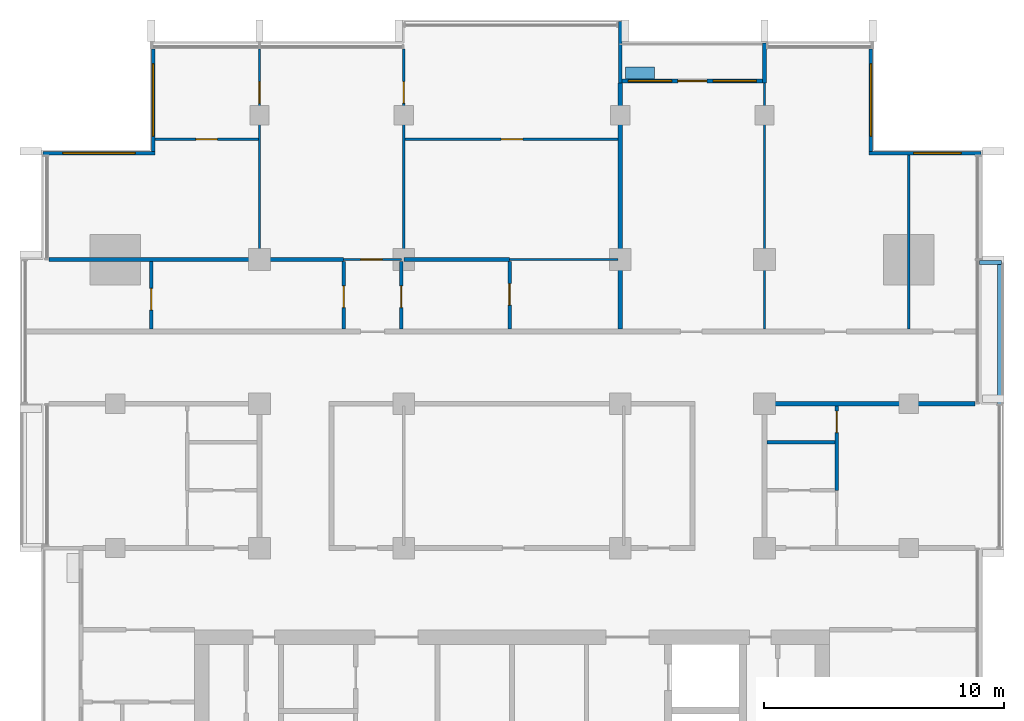
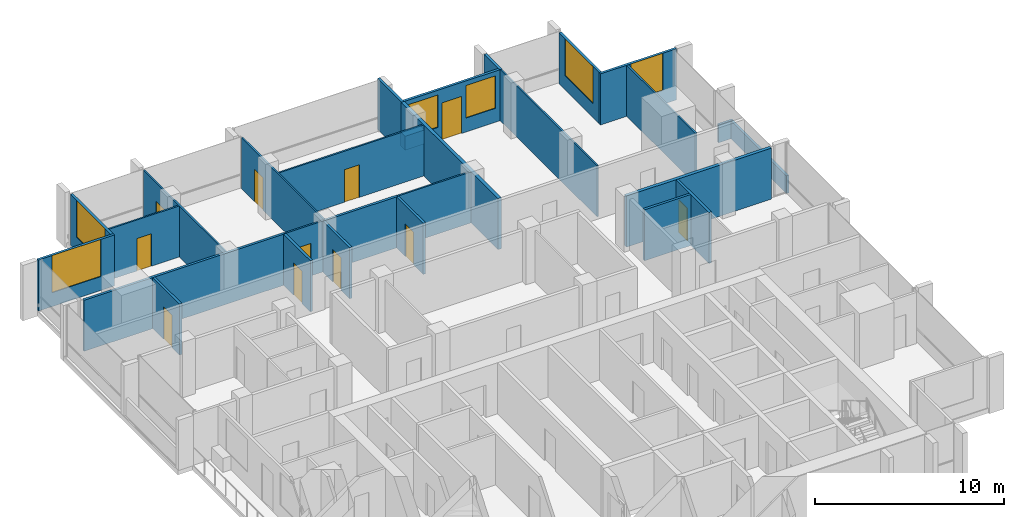
# One storey, part 10 of 16: 28 walls, 11 doors, 6 windows, 17 openings.
"""IFC4 building model written with IfcOpenShell, lengths in metres."""

from ifc_helpers import new_model, si_unit, direction, frame, frame_2d, origin, place, context, subcontext, project, spatial, rectangle, extrude, material, layer, layer_set, type_object, element, fill, save


model = new_model("IFC4")

# Units and contexts
model_context = context("Model", 3, precision=1e-05, world=origin(), true_north=direction((0.0, 1.0)))
body_context = subcontext(model_context, "Body", "Model", "MODEL_VIEW")
ifc_project = project(units=[si_unit("LENGTHUNIT", "METRE"), si_unit("AREAUNIT", "SQUARE_METRE"), si_unit("VOLUMEUNIT", "CUBIC_METRE"), si_unit("PLANEANGLEUNIT", "RADIAN"), si_unit("MASSUNIT", "GRAM", prefix="KILO")], contexts=[model_context])

# Site, building, storey
site_placement = place(None, origin())
site = spatial("IfcSite", under=ifc_project, at=site_placement, CompositionType="ELEMENT")
building_placement = place(site_placement, origin())
building = spatial("IfcBuilding", under=site, at=building_placement, Name="Finial Court Residences", CompositionType="ELEMENT")
storey_placement = place(building_placement, frame((0.0, 0.0, 230.300048828125)))
storey = spatial("IfcBuildingStorey", under=building, at=storey_placement, Name="L58", CompositionType="ELEMENT", Elevation=230.300048828125)

# Walls
ifc_material_1 = material(Name="Gypsum board")
ifc_layer_1 = layer(ifc_material_1, 0.02490234375)
ifc_material_2 = material(Name="Acoustic mineral wool in double frame")
ifc_layer_2 = layer(ifc_material_2, 0.14990234375)
ifc_layer_3 = layer(ifc_material_1, 0.02490234375)
ifc_layer_set_1 = layer_set([ifc_layer_1, ifc_layer_2, ifc_layer_3], Name="Corridor wall 200, 1 hour")
wall_type_1 = type_object("IfcWallType", Name="Corridor wall 200, 1 hour", PredefinedType="PARTITIONING", material=ifc_layer_set_1)
wall_1_placement = place(storey_placement, frame((10.39990234375, 1.5, 0.0), z_axis=(0.0, 0.0, 1.0), x_axis=(1.0, 0.0, 0.0)))
element("IfcWall", 1, at=wall_1_placement, inside=storey, type_object=wall_type_1, Name="Partition L58-015", PredefinedType="PARTITIONING", context=body_context, shape_type="SweptSolid", body=[
    extrude(rectangle(XDim=8.862548828125, YDim=0.199951171875, at=frame_2d((4.43115234375, 0.0))), origin(), (0.0, 0.0, 1.0), 3.300048828125),
])
wall_2_placement = place(storey_placement, frame((4.5, 4.60009765625, 0.0), z_axis=(0.0, 0.0, 1.0), x_axis=(0.0, 1.0, 0.0)))
element("IfcWall", 2, at=wall_2_placement, inside=storey, type_object=wall_type_1, Name="Partition L58-035", PredefinedType="PARTITIONING", context=body_context, shape_type="SweptSolid", body=[
    extrude(rectangle(XDim=10.25, YDim=0.199951171875, at=frame_2d((5.125, 0.0))), origin(), (0.0, 0.0, 1.0), 3.300048828125),
])

# Wall, opening, door
ifc_layer_4 = layer(ifc_material_1, 0.012451171875)
ifc_material_3 = material(Name="Mineral wool in light-gauge frame")
ifc_layer_5 = layer(ifc_material_3, 0.074951171875)
ifc_layer_6 = layer(ifc_material_1, 0.012451171875)
ifc_layer_set_2 = layer_set([ifc_layer_4, ifc_layer_5, ifc_layer_6], Name="Gypsum board partition 100")
wall_type_2 = type_object("IfcWallType", Name="Gypsum board partition 100", PredefinedType="PARTITIONING", material=ifc_layer_set_2)
wall_3_placement = place(storey_placement, frame((-7.0, 7.5, 0.0), z_axis=(0.0, 0.0, 1.0), x_axis=(1.0, 0.0, 0.0)))
wall_3 = element("IfcWall", 3, at=wall_3_placement, inside=storey, type_object=wall_type_2, Name="Partition L58-017", PredefinedType="PARTITIONING", context=body_context, shape_type="SweptSolid", body=[
    extrude(rectangle(XDim=2.39990234375, YDim=0.10009765625, at=frame_2d((1.199951171875, 0.0))), origin(), (0.0, 0.0, 1.0), 3.300048828125),
])
opening_1_placement = place(wall_3_placement, frame((0.699951171875, 0.0, 0.0)))
opening_1 = element("IfcOpeningElement", 4, at=opening_1_placement, cuts=wall_3, Name="Opening L58-D020", PredefinedType="OPENING", context=body_context, shape_type="SweptSolid", body=[
    extrude(rectangle(XDim=0.89990234375, YDim=2.10009765625, at=frame_2d((0.449951171875, 1.050048828125))), frame((0.0, 0.06005859375, 0.0), z_axis=(0.0, -1.0, 0.0), x_axis=(1.0, 0.0, 0.0)), (0.0, 0.0, 1.0), 0.1201171875),
])
ifc_material_4 = material(Name="Timber door leaf in timber frame", Category="wood")
door_type_1 = type_object("IfcDoorType", Name="Door set 900 x 2100", OperationType="SINGLE_SWING_LEFT", PredefinedType="DOOR", material=ifc_material_4)
door_1_placement = place(opening_1_placement, origin())
door_1 = element("IfcDoor", 5, at=door_1_placement, inside=storey, type_object=door_type_1, Name="Door L58-D020", OperationType="SINGLE_SWING_RIGHT", OverallHeight=2.10009765625, OverallWidth=0.89990234375, PredefinedType="DOOR", context=body_context, shape_type="SweptSolid", body=[
    extrude(rectangle(XDim=0.89990234375, YDim=2.10009765625, at=frame_2d((0.449951171875, 1.050048828125))), frame((0.0, 0.02490234375, 0.0), z_axis=(0.0, -1.0, 0.0), x_axis=(1.0, 0.0, 0.0)), (0.0, 0.0, 1.0), 0.050048828125),
])
fill(opening_1, door_1)

# Wall
wall_4_placement = place(storey_placement, frame((-0.10009765625, 7.5, 0.0), z_axis=(0.0, 0.0, 1.0), x_axis=(1.0, 0.0, 0.0)))
element("IfcWall", 6, at=wall_4_placement, inside=storey, type_object=wall_type_2, Name="Partition L58-018", PredefinedType="PARTITIONING", context=body_context, shape_type="SweptSolid", body=[
    extrude(rectangle(XDim=4.5, YDim=0.10009765625, at=frame_2d((2.25, 0.0))), origin(), (0.0, 0.0, 1.0), 3.300048828125),
])

# Wall, opening, door
wall_5_placement = place(storey_placement, frame((-14.85009765625, 12.5, 0.0), z_axis=(0.0, 0.0, 1.0), x_axis=(1.0, 0.0, 0.0)))
wall_5 = element("IfcWall", 7, at=wall_5_placement, inside=storey, type_object=wall_type_2, Name="Partition L58-021", PredefinedType="PARTITIONING", context=body_context, shape_type="SweptSolid", body=[
    extrude(rectangle(XDim=4.300048828125, YDim=0.10009765625, at=frame_2d((2.14990234375, 0.0))), origin(), (0.0, 0.0, 1.0), 3.300048828125),
])
opening_2_placement = place(wall_5_placement, frame((1.699951171875, 0.0, 0.0)))
opening_2 = element("IfcOpeningElement", 8, at=opening_2_placement, cuts=wall_5, Name="Opening L58-D021", PredefinedType="OPENING", context=body_context, shape_type="SweptSolid", body=[
    extrude(rectangle(XDim=0.89990234375, YDim=2.10009765625, at=frame_2d((0.449951171875, 1.050048828125))), frame((0.0, 0.06005859375, 0.0), z_axis=(0.0, -1.0, 0.0), x_axis=(1.0, 0.0, 0.0)), (0.0, 0.0, 1.0), 0.1201171875),
])
door_2_placement = place(opening_2_placement, origin())
door_2 = element("IfcDoor", 9, at=door_2_placement, inside=storey, type_object=door_type_1, Name="Door L58-D021", OperationType="SINGLE_SWING_RIGHT", OverallHeight=2.10009765625, OverallWidth=0.89990234375, PredefinedType="DOOR", context=body_context, shape_type="SweptSolid", body=[
    extrude(rectangle(XDim=0.89990234375, YDim=2.10009765625, at=frame_2d((0.449951171875, 1.050048828125))), frame((0.0, 0.02490234375, 0.0), z_axis=(0.0, -1.0, 0.0), x_axis=(1.0, 0.0, 0.0)), (0.0, 0.0, 1.0), 0.050048828125),
])
fill(opening_2, door_2)

wall_6_placement = place(storey_placement, frame((-4.449951171875, 12.5, 0.0), z_axis=(0.0, 0.0, 1.0), x_axis=(1.0, 0.0, 0.0)))
wall_6 = element("IfcWall", 10, at=wall_6_placement, inside=storey, type_object=wall_type_2, Name="Partition L58-022", PredefinedType="PARTITIONING", context=body_context, shape_type="SweptSolid", body=[
    extrude(rectangle(XDim=8.849853515625, YDim=0.10009765625, at=frame_2d((4.4248046875, 0.0))), origin(), (0.0, 0.0, 1.0), 3.300048828125),
])
opening_3_placement = place(wall_6_placement, frame((4.0, 0.0, 0.0)))
opening_3 = element("IfcOpeningElement", 11, at=opening_3_placement, cuts=wall_6, Name="Opening L58-D022", PredefinedType="OPENING", context=body_context, shape_type="SweptSolid", body=[
    extrude(rectangle(XDim=0.89990234375, YDim=2.10009765625, at=frame_2d((0.449951171875, 1.050048828125))), frame((0.0, 0.06005859375, 0.0), z_axis=(0.0, -1.0, 0.0), x_axis=(1.0, 0.0, 0.0)), (0.0, 0.0, 1.0), 0.1201171875),
])
door_3_placement = place(opening_3_placement, origin())
door_3 = element("IfcDoor", 12, at=door_3_placement, inside=storey, type_object=door_type_1, Name="Door L58-D022", OperationType="SINGLE_SWING_RIGHT", OverallHeight=2.10009765625, OverallWidth=0.89990234375, PredefinedType="DOOR", context=body_context, shape_type="SweptSolid", body=[
    extrude(rectangle(XDim=0.89990234375, YDim=2.10009765625, at=frame_2d((0.449951171875, 1.050048828125))), frame((0.0, 0.02490234375, 0.0), z_axis=(0.0, -1.0, 0.0), x_axis=(1.0, 0.0, 0.0)), (0.0, 0.0, 1.0), 0.050048828125),
])
fill(opening_3, door_3)

wall_7_placement = place(storey_placement, frame((-10.5, 7.574951171875, 0.0), z_axis=(0.0, 0.0, 1.0), x_axis=(0.0, 1.0, 0.0)))
wall_7 = element("IfcWall", 13, at=wall_7_placement, inside=storey, type_object=wall_type_2, Name="Partition L58-028", PredefinedType="PARTITIONING", context=body_context, shape_type="SweptSolid", body=[
    extrude(rectangle(XDim=8.6875, YDim=0.10009765625, at=frame_2d((4.34375, 0.0))), origin(), (0.0, 0.0, 1.0), 3.300048828125),
])
opening_4_placement = place(wall_7_placement, frame((6.425048828125, 0.0, 0.0)))
opening_4 = element("IfcOpeningElement", 14, at=opening_4_placement, cuts=wall_7, Name="Opening L58-D026", PredefinedType="OPENING", context=body_context, shape_type="SweptSolid", body=[
    extrude(rectangle(XDim=0.89990234375, YDim=2.10009765625, at=frame_2d((0.449951171875, 1.050048828125))), frame((0.0, 0.06005859375, 0.0), z_axis=(0.0, -1.0, 0.0), x_axis=(1.0, 0.0, 0.0)), (0.0, 0.0, 1.0), 0.1201171875),
])
door_4_placement = place(opening_4_placement, origin())
door_4 = element("IfcDoor", 15, at=door_4_placement, inside=storey, type_object=door_type_1, Name="Door L58-D026", OperationType="SINGLE_SWING_LEFT", OverallHeight=2.10009765625, OverallWidth=0.89990234375, PredefinedType="DOOR", context=body_context, shape_type="SweptSolid", body=[
    extrude(rectangle(XDim=0.89990234375, YDim=2.10009765625, at=frame_2d((0.449951171875, 1.050048828125))), frame((0.0, 0.02490234375, 0.0), z_axis=(0.0, -1.0, 0.0), x_axis=(1.0, 0.0, 0.0)), (0.0, 0.0, 1.0), 0.050048828125),
])
fill(opening_4, door_4)

wall_8_placement = place(storey_placement, frame((-4.5, 7.574951171875, 0.0), z_axis=(0.0, 0.0, 1.0), x_axis=(0.0, 1.0, 0.0)))
wall_8 = element("IfcWall", 16, at=wall_8_placement, inside=storey, type_object=wall_type_2, Name="Partition L58-033", PredefinedType="PARTITIONING", context=body_context, shape_type="SweptSolid", body=[
    extrude(rectangle(XDim=8.6875, YDim=0.10009765625, at=frame_2d((4.34375, 0.0))), origin(), (0.0, 0.0, 1.0), 3.300048828125),
])
opening_5_placement = place(wall_8_placement, frame((6.425048828125, 0.0, 0.0)))
opening_5 = element("IfcOpeningElement", 17, at=opening_5_placement, cuts=wall_8, Name="Opening L58-D029", PredefinedType="OPENING", context=body_context, shape_type="SweptSolid", body=[
    extrude(rectangle(XDim=0.89990234375, YDim=2.10009765625, at=frame_2d((0.449951171875, 1.050048828125))), frame((0.0, 0.06005859375, 0.0), z_axis=(0.0, -1.0, 0.0), x_axis=(1.0, 0.0, 0.0)), (0.0, 0.0, 1.0), 0.1201171875),
])
door_5_placement = place(opening_5_placement, origin())
door_5 = element("IfcDoor", 18, at=door_5_placement, inside=storey, type_object=door_type_1, Name="Door L58-D029", OperationType="SINGLE_SWING_RIGHT", OverallHeight=2.10009765625, OverallWidth=0.89990234375, PredefinedType="DOOR", context=body_context, shape_type="SweptSolid", body=[
    extrude(rectangle(XDim=0.89990234375, YDim=2.10009765625, at=frame_2d((0.449951171875, 1.050048828125))), frame((0.0, 0.02490234375, 0.0), z_axis=(0.0, -1.0, 0.0), x_axis=(1.0, 0.0, 0.0)), (0.0, 0.0, 1.0), 0.050048828125),
])
fill(opening_5, door_5)

# Walls
wall_9_placement = place(storey_placement, frame((10.5, 4.60009765625, 0.0), z_axis=(0.0, 0.0, 1.0), x_axis=(0.0, 1.0, 0.0)))
element("IfcWall", 19, at=wall_9_placement, inside=storey, type_object=wall_type_2, Name="Partition L58-039", PredefinedType="PARTITIONING", context=body_context, shape_type="SweptSolid", body=[
    extrude(rectangle(XDim=10.25, YDim=0.10009765625, at=frame_2d((5.125, 0.0))), origin(), (0.0, 0.0, 1.0), 3.300048828125),
])
wall_10_placement = place(storey_placement, frame((16.5, 4.60009765625, 0.0), z_axis=(0.0, 0.0, 1.0), x_axis=(0.0, 1.0, 0.0)))
element("IfcWall", 20, at=wall_10_placement, inside=storey, type_object=wall_type_2, Name="Partition L58-043", PredefinedType="PARTITIONING", context=body_context, shape_type="SweptSolid", body=[
    extrude(rectangle(XDim=7.25, YDim=0.10009765625, at=frame_2d((3.625, 0.0))), origin(), (0.0, 0.0, 1.0), 3.300048828125),
])
ifc_material_5 = material(Name="Moisture-resistant gypsum board")
ifc_layer_7 = layer(ifc_material_5, 0.012451171875)
ifc_layer_8 = layer(ifc_material_3, 0.125)
ifc_layer_9 = layer(ifc_material_5, 0.012451171875)
ifc_layer_set_3 = layer_set([ifc_layer_7, ifc_layer_8, ifc_layer_9], Name="Gypsum board wet-area partition 150")
wall_type_3 = type_object("IfcWallType", Name="Gypsum board wet-area partition 150", PredefinedType="PARTITIONING", material=ifc_layer_set_3)
wall_11_placement = place(storey_placement, frame((10.60009765625, -0.10009765625, 0.0), z_axis=(0.0, 0.0, 1.0), x_axis=(1.0, 0.0, 0.0)))
element("IfcWall", 21, at=wall_11_placement, inside=storey, type_object=wall_type_3, Name="Partition L58-012", PredefinedType="PARTITIONING", context=body_context, shape_type="SweptSolid", body=[
    extrude(rectangle(XDim=2.824951171875, YDim=0.14990234375, at=frame_2d((1.41259765625, 0.0))), origin(), (0.0, 0.0, 1.0), 3.300048828125),
])
wall_12_placement = place(storey_placement, frame((-19.262451171875, 7.5, 0.0), z_axis=(0.0, 0.0, 1.0), x_axis=(1.0, 0.0, 0.0)))
element("IfcWall", 22, at=wall_12_placement, inside=storey, type_object=wall_type_3, Name="Partition L58-019", PredefinedType="PARTITIONING", context=body_context, shape_type="SweptSolid", body=[
    extrude(rectangle(XDim=12.262451171875, YDim=0.14990234375, at=frame_2d((6.13134765625, 0.0))), origin(), (0.0, 0.0, 1.0), 3.300048828125),
])
wall_13_placement = place(storey_placement, frame((-4.5, 7.5, 0.0), z_axis=(0.0, 0.0, 1.0), x_axis=(1.0, 0.0, 0.0)))
element("IfcWall", 23, at=wall_13_placement, inside=storey, type_object=wall_type_3, Name="Partition L58-020", PredefinedType="PARTITIONING", context=body_context, shape_type="SweptSolid", body=[
    extrude(rectangle(XDim=4.39990234375, YDim=0.14990234375, at=frame_2d((2.199951171875, 0.0))), origin(), (0.0, 0.0, 1.0), 3.300048828125),
])

# Wall, opening, door
wall_14_placement = place(storey_placement, frame((-15.0, 4.60009765625, 0.0), z_axis=(0.0, 0.0, 1.0), x_axis=(0.0, 1.0, 0.0)))
wall_14 = element("IfcWall", 24, at=wall_14_placement, inside=storey, type_object=wall_type_3, Name="Partition L58-024", PredefinedType="PARTITIONING", context=body_context, shape_type="SweptSolid", body=[
    extrude(rectangle(XDim=2.824951171875, YDim=0.14990234375, at=frame_2d((1.41259765625, 0.0))), origin(), (0.0, 0.0, 1.0), 3.300048828125),
])
opening_6_placement = place(wall_14_placement, frame((0.800048828125, 0.0, 0.0)))
opening_6 = element("IfcOpeningElement", 25, at=opening_6_placement, cuts=wall_14, Name="Opening L58-D023", PredefinedType="OPENING", context=body_context, shape_type="SweptSolid", body=[
    extrude(rectangle(XDim=0.89990234375, YDim=2.10009765625, at=frame_2d((0.449951171875, 1.050048828125))), frame((0.0, 0.0849609375, 0.0), z_axis=(0.0, -1.0, 0.0), x_axis=(1.0, 0.0, 0.0)), (0.0, 0.0, 1.0), 0.169921875),
])
door_6_placement = place(opening_6_placement, origin())
door_6 = element("IfcDoor", 26, at=door_6_placement, inside=storey, type_object=door_type_1, Name="Door L58-D023", OperationType="SINGLE_SWING_RIGHT", OverallHeight=2.10009765625, OverallWidth=0.89990234375, PredefinedType="DOOR", context=body_context, shape_type="SweptSolid", body=[
    extrude(rectangle(XDim=0.89990234375, YDim=2.10009765625, at=frame_2d((0.449951171875, 1.050048828125))), frame((0.0, 0.02490234375, 0.0), z_axis=(0.0, -1.0, 0.0), x_axis=(1.0, 0.0, 0.0)), (0.0, 0.0, 1.0), 0.050048828125),
])
fill(opening_6, door_6)

wall_15_placement = place(storey_placement, frame((-7.0, 4.60009765625, 0.0), z_axis=(0.0, 0.0, 1.0), x_axis=(0.0, 1.0, 0.0)))
wall_15 = element("IfcWall", 27, at=wall_15_placement, inside=storey, type_object=wall_type_3, Name="Partition L58-030", PredefinedType="PARTITIONING", context=body_context, shape_type="SweptSolid", body=[
    extrude(rectangle(XDim=2.824951171875, YDim=0.14990234375, at=frame_2d((1.41259765625, 0.0))), origin(), (0.0, 0.0, 1.0), 3.300048828125),
])
opening_7_placement = place(wall_15_placement, frame((0.89990234375, 0.0, 0.0)))
opening_7 = element("IfcOpeningElement", 28, at=opening_7_placement, cuts=wall_15, Name="Opening L58-D027", PredefinedType="OPENING", context=body_context, shape_type="SweptSolid", body=[
    extrude(rectangle(XDim=0.89990234375, YDim=2.10009765625, at=frame_2d((0.449951171875, 1.050048828125))), frame((0.0, 0.0849609375, 0.0), z_axis=(0.0, -1.0, 0.0), x_axis=(1.0, 0.0, 0.0)), (0.0, 0.0, 1.0), 0.169921875),
])
door_7_placement = place(opening_7_placement, origin())
door_7 = element("IfcDoor", 29, at=door_7_placement, inside=storey, type_object=door_type_1, Name="Door L58-D027", OperationType="SINGLE_SWING_LEFT", OverallHeight=2.10009765625, OverallWidth=0.89990234375, PredefinedType="DOOR", context=body_context, shape_type="SweptSolid", body=[
    extrude(rectangle(XDim=0.89990234375, YDim=2.10009765625, at=frame_2d((0.449951171875, 1.050048828125))), frame((0.0, 0.02490234375, 0.0), z_axis=(0.0, -1.0, 0.0), x_axis=(1.0, 0.0, 0.0)), (0.0, 0.0, 1.0), 0.050048828125),
])
fill(opening_7, door_7)

wall_16_placement = place(storey_placement, frame((-4.60009765625, 4.60009765625, 0.0), z_axis=(0.0, 0.0, 1.0), x_axis=(0.0, 1.0, 0.0)))
wall_16 = element("IfcWall", 30, at=wall_16_placement, inside=storey, type_object=wall_type_3, Name="Partition L58-031", PredefinedType="PARTITIONING", context=body_context, shape_type="SweptSolid", body=[
    extrude(rectangle(XDim=2.824951171875, YDim=0.14990234375, at=frame_2d((1.41259765625, 0.0))), origin(), (0.0, 0.0, 1.0), 3.300048828125),
])
opening_8_placement = place(wall_16_placement, frame((0.89990234375, 0.0, 0.0)))
opening_8 = element("IfcOpeningElement", 31, at=opening_8_placement, cuts=wall_16, Name="Opening L58-D028", PredefinedType="OPENING", context=body_context, shape_type="SweptSolid", body=[
    extrude(rectangle(XDim=0.89990234375, YDim=2.10009765625, at=frame_2d((0.449951171875, 1.050048828125))), frame((0.0, 0.0849609375, 0.0), z_axis=(0.0, -1.0, 0.0), x_axis=(1.0, 0.0, 0.0)), (0.0, 0.0, 1.0), 0.169921875),
])
door_8_placement = place(opening_8_placement, origin())
door_8 = element("IfcDoor", 32, at=door_8_placement, inside=storey, type_object=door_type_1, Name="Door L58-D028", OperationType="SINGLE_SWING_RIGHT", OverallHeight=2.10009765625, OverallWidth=0.89990234375, PredefinedType="DOOR", context=body_context, shape_type="SweptSolid", body=[
    extrude(rectangle(XDim=0.89990234375, YDim=2.10009765625, at=frame_2d((0.449951171875, 1.050048828125))), frame((0.0, 0.02490234375, 0.0), z_axis=(0.0, -1.0, 0.0), x_axis=(1.0, 0.0, 0.0)), (0.0, 0.0, 1.0), 0.050048828125),
])
fill(opening_8, door_8)

wall_17_placement = place(storey_placement, frame((-0.10009765625, 4.60009765625, 0.0), z_axis=(0.0, 0.0, 1.0), x_axis=(0.0, 1.0, 0.0)))
wall_17 = element("IfcWall", 33, at=wall_17_placement, inside=storey, type_object=wall_type_3, Name="Partition L58-034", PredefinedType="PARTITIONING", context=body_context, shape_type="SweptSolid", body=[
    extrude(rectangle(XDim=2.824951171875, YDim=0.14990234375, at=frame_2d((1.41259765625, 0.0))), origin(), (0.0, 0.0, 1.0), 3.300048828125),
])
opening_9_placement = place(wall_17_placement, frame((1.0, 0.0, 0.0)))
opening_9 = element("IfcOpeningElement", 34, at=opening_9_placement, cuts=wall_17, Name="Opening L58-D030", PredefinedType="OPENING", context=body_context, shape_type="SweptSolid", body=[
    extrude(rectangle(XDim=0.89990234375, YDim=2.10009765625, at=frame_2d((0.449951171875, 1.050048828125))), frame((0.0, 0.0849609375, 0.0), z_axis=(0.0, -1.0, 0.0), x_axis=(1.0, 0.0, 0.0)), (0.0, 0.0, 1.0), 0.169921875),
])
door_9_placement = place(opening_9_placement, origin())
door_9 = element("IfcDoor", 35, at=door_9_placement, inside=storey, type_object=door_type_1, Name="Door L58-D030", OperationType="SINGLE_SWING_LEFT", OverallHeight=2.10009765625, OverallWidth=0.89990234375, PredefinedType="DOOR", context=body_context, shape_type="SweptSolid", body=[
    extrude(rectangle(XDim=0.89990234375, YDim=2.10009765625, at=frame_2d((0.449951171875, 1.050048828125))), frame((0.0, 0.02490234375, 0.0), z_axis=(0.0, -1.0, 0.0), x_axis=(1.0, 0.0, 0.0)), (0.0, 0.0, 1.0), 0.050048828125),
])
fill(opening_9, door_9)

wall_18_placement = place(storey_placement, frame((13.5, -2.10009765625, 0.0), z_axis=(0.0, 0.0, 1.0), x_axis=(0.0, 1.0, 0.0)))
wall_18 = element("IfcWall", 36, at=wall_18_placement, inside=storey, type_object=wall_type_3, Name="Partition L58-041", PredefinedType="PARTITIONING", context=body_context, shape_type="SweptSolid", body=[
    extrude(rectangle(XDim=3.5, YDim=0.14990234375, at=frame_2d((1.75, 0.0))), origin(), (0.0, 0.0, 1.0), 3.300048828125),
])
opening_10_placement = place(wall_18_placement, frame((2.39990234375, 0.0, 0.0)))
opening_10 = element("IfcOpeningElement", 37, at=opening_10_placement, cuts=wall_18, Name="Opening L58-D032", PredefinedType="OPENING", context=body_context, shape_type="SweptSolid", body=[
    extrude(rectangle(XDim=0.89990234375, YDim=2.10009765625, at=frame_2d((0.449951171875, 1.050048828125))), frame((0.0, 0.0849609375, 0.0), z_axis=(0.0, -1.0, 0.0), x_axis=(1.0, 0.0, 0.0)), (0.0, 0.0, 1.0), 0.169921875),
])
door_10_placement = place(opening_10_placement, origin())
door_10 = element("IfcDoor", 38, at=door_10_placement, inside=storey, type_object=door_type_1, Name="Door L58-D032", OperationType="SINGLE_SWING_LEFT", OverallHeight=2.10009765625, OverallWidth=0.89990234375, PredefinedType="DOOR", context=body_context, shape_type="SweptSolid", body=[
    extrude(rectangle(XDim=0.89990234375, YDim=2.10009765625, at=frame_2d((0.449951171875, 1.050048828125))), frame((0.0, 0.02490234375, 0.0), z_axis=(0.0, -1.0, 0.0), x_axis=(1.0, 0.0, 0.0)), (0.0, 0.0, 1.0), 0.050048828125),
])
fill(opening_10, door_10)

# Walls
ifc_material_6 = material(Name="Concrete C35/45", Category="concrete")
ifc_layer_10 = layer(ifc_material_6, 0.14990234375)
ifc_layer_set_4 = layer_set([ifc_layer_10], Name="Ledge parapet, Concrete C35/45 150")
wall_type_4 = type_object("IfcWallType", Name="Ledge parapet, Concrete C35/45 150", PredefinedType="PARAPET", material=ifc_layer_set_4)
wall_19_placement = place(storey_placement, frame((19.447509765625, 7.375, 0.0), z_axis=(0.0, 0.0, 1.0), x_axis=(1.0, 0.0, 0.0)))
element("IfcWall", 39, at=wall_19_placement, inside=storey, type_object=wall_type_4, Name="E-L58-LED2-P1", PredefinedType="PARAPET", context=body_context, shape_type="SweptSolid", body=[
    extrude(rectangle(XDim=0.902587890625, YDim=0.14990234375, at=frame_2d((0.451171875, 0.0))), origin(), (0.0, 0.0, 1.0), 1.14990234375),
])
wall_20_placement = place(storey_placement, frame((20.27490234375, 7.300048828125, 0.0), z_axis=(0.0, 0.0, 1.0), x_axis=(0.0, -1.0, 0.0)))
element("IfcWall", 40, at=wall_20_placement, inside=storey, type_object=wall_type_4, Name="E-L58-LED2-P2", PredefinedType="PARAPET", context=body_context, shape_type="SweptSolid", body=[
    extrude(rectangle(XDim=5.8525390625, YDim=0.14990234375, at=frame_2d((2.92626953125, 0.0))), origin(), (0.0, 0.0, 1.0), 1.14990234375),
])

# Wall, opening, window
ifc_material_7 = material(Name="Natural limestone", Category="masonry")
ifc_layer_11 = layer(ifc_material_7, 0.14990234375)
ifc_layer_set_5 = layer_set([ifc_layer_11], Name="Limestone clad wall 150")
wall_type_5 = type_object("IfcWallType", Name="Limestone clad wall 150", PredefinedType="SOLIDWALL", material=ifc_layer_set_5)
wall_21_placement = place(storey_placement, frame((-14.925048828125, 12.0, 0.0), z_axis=(0.0, 0.0, 1.0), x_axis=(0.0, 1.0, 0.0)))
wall_21 = element("IfcWall", 41, at=wall_21_placement, inside=storey, type_object=wall_type_5, Name="E-L58-NWW17", PredefinedType="SOLIDWALL", context=body_context, shape_type="SweptSolid", body=[
    extrude(rectangle(XDim=4.262451171875, YDim=0.14990234375, at=frame_2d((2.13134765625, 0.0))), origin(), (0.0, 0.0, 1.0), 3.300048828125),
])
opening_11_placement = place(wall_21_placement, frame((0.631103515625, 0.0, 0.89990234375)))
opening_11 = element("IfcOpeningElement", 42, at=opening_11_placement, cuts=wall_21, Name="Opening WE58-05", PredefinedType="OPENING", context=body_context, shape_type="SweptSolid", body=[
    extrude(rectangle(XDim=3.0, YDim=2.39990234375, at=frame_2d((1.5, 1.199951171875))), frame((0.0, 0.0849609375, 0.0), z_axis=(0.0, -1.0, 0.0), x_axis=(1.0, 0.0, 0.0)), (0.0, 0.0, 1.0), 0.169921875),
])
ifc_material_8 = material(Name="Clear low-e glass", Category="glass")
window_type_1 = type_object("IfcWindowType", Name="Corner window 3000 x 2400", PartitioningType="SINGLE_PANEL", PredefinedType="WINDOW", material=ifc_material_8)
window_1_placement = place(opening_11_placement, origin())
window_1 = element("IfcWindow", 43, at=window_1_placement, inside=storey, type_object=window_type_1, Name="E-L58-NWW17-W1", OverallHeight=2.39990234375, OverallWidth=3.0, PartitioningType="SINGLE_PANEL", PredefinedType="WINDOW", context=body_context, shape_type="SweptSolid", body=[
    extrude(rectangle(XDim=3.0, YDim=2.39990234375, at=frame_2d((1.5, 1.199951171875))), frame((0.0, 0.030029296875, 0.0), z_axis=(0.0, -1.0, 0.0), x_axis=(1.0, 0.0, 0.0)), (0.0, 0.0, 1.0), 0.06005859375),
])
fill(opening_11, window_1)

wall_22_placement = place(storey_placement, frame((-19.5, 11.925048828125, 0.0), z_axis=(0.0, 0.0, 1.0), x_axis=(1.0, 0.0, 0.0)))
wall_22 = element("IfcWall", 44, at=wall_22_placement, inside=storey, type_object=wall_type_5, Name="E-L58-NWN18", PredefinedType="SOLIDWALL", context=body_context, shape_type="SweptSolid", body=[
    extrude(rectangle(XDim=4.64990234375, YDim=0.14990234375, at=frame_2d((2.324951171875, 0.0))), origin(), (0.0, 0.0, 1.0), 3.300048828125),
])
opening_12_placement = place(wall_22_placement, frame((0.824951171875, 0.0, 0.89990234375)))
opening_12 = element("IfcOpeningElement", 45, at=opening_12_placement, cuts=wall_22, Name="Opening WE58-06", PredefinedType="OPENING", context=body_context, shape_type="SweptSolid", body=[
    extrude(rectangle(XDim=3.0, YDim=2.39990234375, at=frame_2d((1.5, 1.199951171875))), frame((0.0, 0.0849609375, 0.0), z_axis=(0.0, -1.0, 0.0), x_axis=(1.0, 0.0, 0.0)), (0.0, 0.0, 1.0), 0.169921875),
])
window_2_placement = place(opening_12_placement, origin())
window_2 = element("IfcWindow", 46, at=window_2_placement, inside=storey, type_object=window_type_1, Name="E-L58-NWN18-W1", OverallHeight=2.39990234375, OverallWidth=3.0, PartitioningType="SINGLE_PANEL", PredefinedType="WINDOW", context=body_context, shape_type="SweptSolid", body=[
    extrude(rectangle(XDim=3.0, YDim=2.39990234375, at=frame_2d((1.5, 1.199951171875))), frame((0.0, 0.030029296875, 0.0), z_axis=(0.0, -1.0, 0.0), x_axis=(1.0, 0.0, 0.0)), (0.0, 0.0, 1.0), 0.06005859375),
])
fill(opening_12, window_2)

wall_23_placement = place(storey_placement, frame((14.925048828125, 16.262451171875, 0.0), z_axis=(0.0, 0.0, 1.0), x_axis=(0.0, -1.0, 0.0)))
wall_23 = element("IfcWall", 47, at=wall_23_placement, inside=storey, type_object=wall_type_5, Name="E-L58-NWE19", PredefinedType="SOLIDWALL", context=body_context, shape_type="SweptSolid", body=[
    extrude(rectangle(XDim=4.262451171875, YDim=0.14990234375, at=frame_2d((2.13134765625, 0.0))), origin(), (0.0, 0.0, 1.0), 3.300048828125),
])
opening_13_placement = place(wall_23_placement, frame((0.631103515625, 0.0, 0.89990234375)))
opening_13 = element("IfcOpeningElement", 48, at=opening_13_placement, cuts=wall_23, Name="Opening WE58-07", PredefinedType="OPENING", context=body_context, shape_type="SweptSolid", body=[
    extrude(rectangle(XDim=3.0, YDim=2.39990234375, at=frame_2d((1.5, 1.199951171875))), frame((0.0, 0.0849609375, 0.0), z_axis=(0.0, -1.0, 0.0), x_axis=(1.0, 0.0, 0.0)), (0.0, 0.0, 1.0), 0.169921875),
])
window_3_placement = place(opening_13_placement, origin())
window_3 = element("IfcWindow", 49, at=window_3_placement, inside=storey, type_object=window_type_1, Name="E-L58-NWE19-W1", OverallHeight=2.39990234375, OverallWidth=3.0, PartitioningType="SINGLE_PANEL", PredefinedType="WINDOW", context=body_context, shape_type="SweptSolid", body=[
    extrude(rectangle(XDim=3.0, YDim=2.39990234375, at=frame_2d((1.5, 1.199951171875))), frame((0.0, 0.030029296875, 0.0), z_axis=(0.0, -1.0, 0.0), x_axis=(1.0, 0.0, 0.0)), (0.0, 0.0, 1.0), 0.06005859375),
])
fill(opening_13, window_3)

wall_24_placement = place(storey_placement, frame((14.85009765625, 11.925048828125, 0.0), z_axis=(0.0, 0.0, 1.0), x_axis=(1.0, 0.0, 0.0)))
wall_24 = element("IfcWall", 50, at=wall_24_placement, inside=storey, type_object=wall_type_5, Name="E-L58-NWN20", PredefinedType="SOLIDWALL", context=body_context, shape_type="SweptSolid", body=[
    extrude(rectangle(XDim=4.64990234375, YDim=0.14990234375, at=frame_2d((2.324951171875, 0.0))), origin(), (0.0, 0.0, 1.0), 3.300048828125),
])
opening_14_placement = place(wall_24_placement, frame((1.85009765625, 0.0, 0.89990234375)))
opening_14 = element("IfcOpeningElement", 51, at=opening_14_placement, cuts=wall_24, Name="Opening WE58-08", PredefinedType="OPENING", context=body_context, shape_type="SweptSolid", body=[
    extrude(rectangle(XDim=1.97509765625, YDim=2.39990234375, at=frame_2d((0.987548828125, 1.199951171875))), frame((0.0, 0.0849609375, 0.0), z_axis=(0.0, -1.0, 0.0), x_axis=(1.0, 0.0, 0.0)), (0.0, 0.0, 1.0), 0.169921875),
])
window_type_2 = type_object("IfcWindowType", Name="Corner window 1975 x 2400", PartitioningType="SINGLE_PANEL", PredefinedType="WINDOW", material=ifc_material_8)
window_4_placement = place(opening_14_placement, origin())
window_4 = element("IfcWindow", 52, at=window_4_placement, inside=storey, type_object=window_type_2, Name="E-L58-NWN20-W1", OverallHeight=2.39990234375, OverallWidth=1.97509765625, PartitioningType="SINGLE_PANEL", PredefinedType="WINDOW", context=body_context, shape_type="SweptSolid", body=[
    extrude(rectangle(XDim=1.97509765625, YDim=2.39990234375, at=frame_2d((0.987548828125, 1.199951171875))), frame((0.0, 0.030029296875, 0.0), z_axis=(0.0, -1.0, 0.0), x_axis=(1.0, 0.0, 0.0)), (0.0, 0.0, 1.0), 0.06005859375),
])
fill(opening_14, window_4)

# Walls
wall_25_placement = place(storey_placement, frame((4.5, 14.85009765625, 0.0), z_axis=(0.0, 0.0, 1.0), x_axis=(0.0, 1.0, 0.0)))
element("IfcWall", 53, at=wall_25_placement, inside=storey, type_object=wall_type_5, Name="E-L58-BALN4-P1", PredefinedType="SOLIDWALL", context=body_context, shape_type="SweptSolid", body=[
    extrude(rectangle(XDim=2.5498046875, YDim=0.14990234375, at=frame_2d((1.27490234375, 0.0))), origin(), (0.0, 0.0, 1.0), 3.300048828125),
])
wall_26_placement = place(storey_placement, frame((10.5, 14.85009765625, 0.0), z_axis=(0.0, 0.0, 1.0), x_axis=(0.0, 1.0, 0.0)))
element("IfcWall", 54, at=wall_26_placement, inside=storey, type_object=wall_type_5, Name="E-L58-BALN4-P2", PredefinedType="SOLIDWALL", context=body_context, shape_type="SweptSolid", body=[
    extrude(rectangle(XDim=1.64990234375, YDim=0.14990234375, at=frame_2d((0.824951171875, 0.0))), origin(), (0.0, 0.0, 1.0), 3.300048828125),
])

# Wall, openings, door, windows
wall_27_placement = place(storey_placement, frame((4.574951171875, 14.925048828125, 0.0), z_axis=(0.0, 0.0, 1.0), x_axis=(1.0, 0.0, 0.0)))
wall_27 = element("IfcWall", 55, at=wall_27_placement, inside=storey, type_object=wall_type_5, Name="E-L58-L58-BALN4-W", PredefinedType="SOLIDWALL", context=body_context, shape_type="SweptSolid", body=[
    extrude(rectangle(XDim=5.85009765625, YDim=0.14990234375, at=frame_2d((2.925048828125, 0.0))), origin(), (0.0, 0.0, 1.0), 3.300048828125),
])
opening_15_placement = place(wall_27_placement, frame((2.324951171875, 0.0, 0.0)))
opening_15 = element("IfcOpeningElement", 56, at=opening_15_placement, cuts=wall_27, Name="Opening DE58-01", PredefinedType="OPENING", context=body_context, shape_type="SweptSolid", body=[
    extrude(rectangle(XDim=1.199951171875, YDim=2.39990234375, at=frame_2d((0.60009765625, 1.199951171875))), frame((0.0, 0.0849609375, 0.0), z_axis=(0.0, -1.0, 0.0), x_axis=(1.0, 0.0, 0.0)), (0.0, 0.0, 1.0), 0.169921875),
])
opening_16_placement = place(wall_27_placement, frame((0.262451171875, 0.0, 0.89990234375)))
opening_16 = element("IfcOpeningElement", 57, at=opening_16_placement, cuts=wall_27, Name="Opening WE58-09", PredefinedType="OPENING", context=body_context, shape_type="SweptSolid", body=[
    extrude(rectangle(XDim=1.800048828125, YDim=2.10009765625, at=frame_2d((0.89990234375, 1.050048828125))), frame((0.0, 0.0849609375, 0.0), z_axis=(0.0, -1.0, 0.0), x_axis=(1.0, 0.0, 0.0)), (0.0, 0.0, 1.0), 0.169921875),
])
opening_17_placement = place(wall_27_placement, frame((3.78759765625, 0.0, 0.89990234375)))
opening_17 = element("IfcOpeningElement", 58, at=opening_17_placement, cuts=wall_27, Name="Opening WE58-10", PredefinedType="OPENING", context=body_context, shape_type="SweptSolid", body=[
    extrude(rectangle(XDim=1.800048828125, YDim=2.10009765625, at=frame_2d((0.89990234375, 1.050048828125))), frame((0.0, 0.0849609375, 0.0), z_axis=(0.0, -1.0, 0.0), x_axis=(1.0, 0.0, 0.0)), (0.0, 0.0, 1.0), 0.169921875),
])
ifc_material_9 = material(Name="Bronze anodised aluminium", Category="aluminium")
door_type_2 = type_object("IfcDoorType", Name="Balcony door 1200 x 2400", OperationType="SINGLE_SWING_LEFT", PredefinedType="DOOR", material=ifc_material_9)
door_11_placement = place(opening_15_placement, origin())
door_11 = element("IfcDoor", 59, at=door_11_placement, inside=storey, type_object=door_type_2, Name="E-L58-L58-BALN4-W-D", OperationType="SINGLE_SWING_RIGHT", OverallHeight=2.39990234375, OverallWidth=1.199951171875, PredefinedType="DOOR", context=body_context, shape_type="SweptSolid", body=[
    extrude(rectangle(XDim=1.199951171875, YDim=2.39990234375, at=frame_2d((0.60009765625, 1.199951171875))), frame((0.0, 0.02490234375, 0.0), z_axis=(0.0, -1.0, 0.0), x_axis=(1.0, 0.0, 0.0)), (0.0, 0.0, 1.0), 0.050048828125),
])
fill(opening_15, door_11)
window_type_3 = type_object("IfcWindowType", Name="Balcony window 1800 x 2100", PartitioningType="SINGLE_PANEL", PredefinedType="WINDOW", material=ifc_material_8)
window_5_placement = place(opening_16_placement, origin())
window_5 = element("IfcWindow", 60, at=window_5_placement, inside=storey, type_object=window_type_3, Name="E-L58-L58-BALN4-W-W1", OverallHeight=2.10009765625, OverallWidth=1.800048828125, PartitioningType="SINGLE_PANEL", PredefinedType="WINDOW", context=body_context, shape_type="SweptSolid", body=[
    extrude(rectangle(XDim=1.800048828125, YDim=2.10009765625, at=frame_2d((0.89990234375, 1.050048828125))), frame((0.0, 0.030029296875, 0.0), z_axis=(0.0, -1.0, 0.0), x_axis=(1.0, 0.0, 0.0)), (0.0, 0.0, 1.0), 0.06005859375),
])
fill(opening_16, window_5)
window_6_placement = place(opening_17_placement, origin())
window_6 = element("IfcWindow", 61, at=window_6_placement, inside=storey, type_object=window_type_3, Name="E-L58-L58-BALN4-W-W2", OverallHeight=2.10009765625, OverallWidth=1.800048828125, PartitioningType="SINGLE_PANEL", PredefinedType="WINDOW", context=body_context, shape_type="SweptSolid", body=[
    extrude(rectangle(XDim=1.800048828125, YDim=2.10009765625, at=frame_2d((0.89990234375, 1.050048828125))), frame((0.0, 0.030029296875, 0.0), z_axis=(0.0, -1.0, 0.0), x_axis=(1.0, 0.0, 0.0)), (0.0, 0.0, 1.0), 0.06005859375),
])
fill(opening_17, window_6)

# Wall
ifc_material_10 = material(Name="Concrete C40/50", Category="concrete")
ifc_layer_12 = layer(ifc_material_10, 0.10009765625)
ifc_material_11 = material(Name="Planting soil", Category="soil")
ifc_layer_13 = layer(ifc_material_11, 0.300048828125)
ifc_layer_14 = layer(ifc_material_10, 0.10009765625)
ifc_layer_set_6 = layer_set([ifc_layer_12, ifc_layer_13, ifc_layer_14], Name="Planter wall, balcony")
wall_type_6 = type_object("IfcWallType", Name="Planter wall, balcony", PredefinedType="USERDEFINED", material=ifc_layer_set_6)
wall_28_placement = place(storey_placement, frame((4.72509765625, 15.25, 0.0), z_axis=(0.0, 0.0, 1.0), x_axis=(1.0, 0.0, 0.0)))
element("IfcWall", 62, at=wall_28_placement, inside=storey, type_object=wall_type_6, Name="E-L58-BALN4-PL", ObjectType="PLANTER", PredefinedType="USERDEFINED", context=body_context, shape_type="SweptSolid", body=[
    extrude(rectangle(XDim=1.199951171875, YDim=0.5, at=frame_2d((0.60009765625, 0.0))), origin(), (0.0, 0.0, 1.0), 0.89990234375),
])

save(model, "model.ifc")
